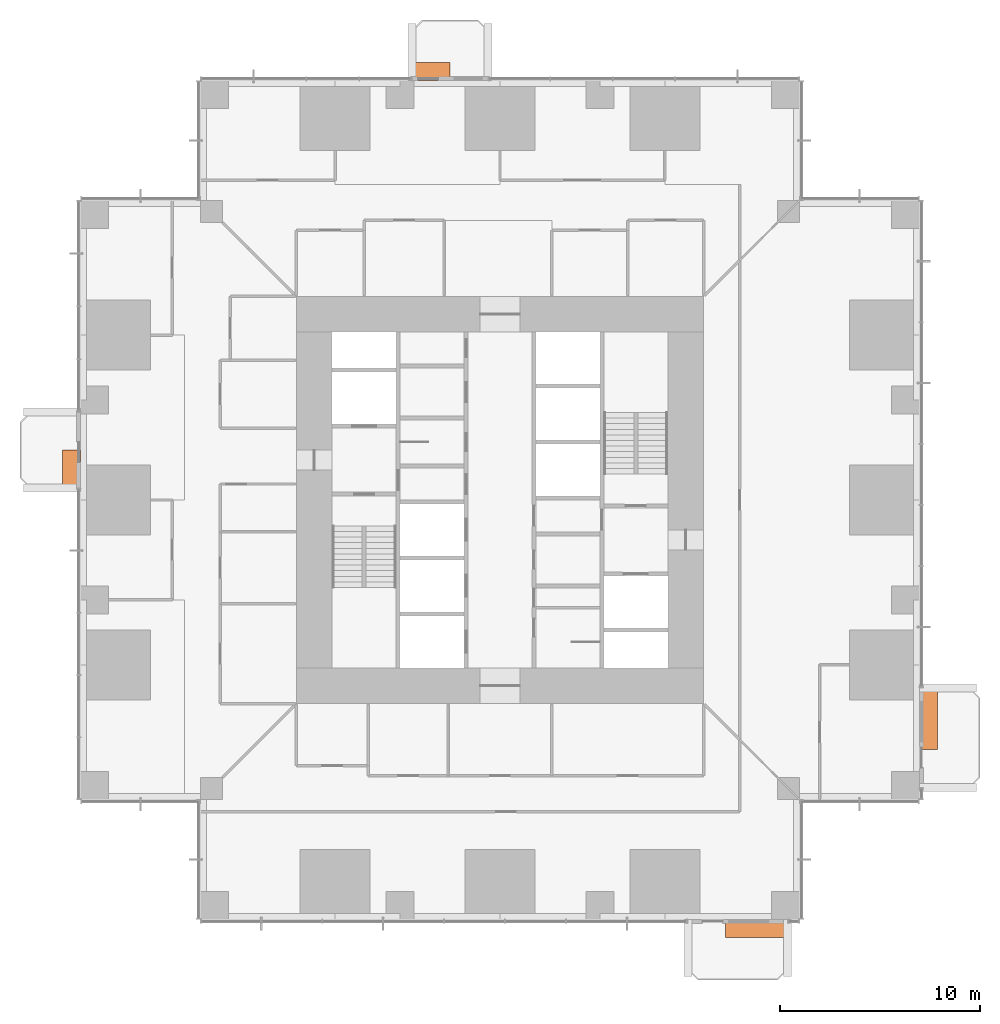
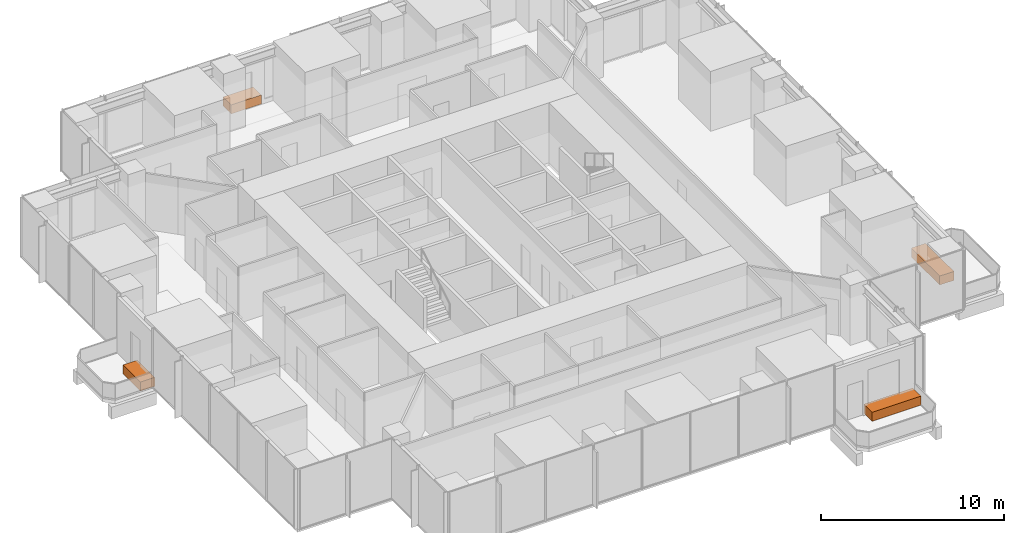
# One storey, part 15 of 15: 4 proxies.
"""IFC4 building model written with IfcOpenShell, lengths in metres."""

from ifc_helpers import new_model, si_unit, direction, frame, origin, origin_2d, place, context, subcontext, project, spatial, rectangle, extrude, element, save


model = new_model("IFC4")

# Units and contexts
model_context = context("Model", 3, precision=1e-05, world=origin(), true_north=direction((0.0, 1.0)))
body_context = subcontext(model_context, "Body", "Model", "MODEL_VIEW")
ifc_project = project(units=[si_unit("LENGTHUNIT", "METRE"), si_unit("AREAUNIT", "SQUARE_METRE"), si_unit("VOLUMEUNIT", "CUBIC_METRE"), si_unit("PLANEANGLEUNIT", "RADIAN"), si_unit("MASSUNIT", "GRAM", prefix="KILO")], contexts=[model_context])

# Site, building, storey
site_placement = place(None, origin())
site = spatial("IfcSite", under=ifc_project, at=site_placement, CompositionType="ELEMENT")
building_placement = place(site_placement, origin())
building = spatial("IfcBuilding", under=site, at=building_placement, Name="Svetlomir Tower", CompositionType="ELEMENT")
storey_placement = place(building_placement, frame((0.0, 0.0, 34.5)))
storey = spatial("IfcBuildingStorey", under=building, at=storey_placement, Name="L07", CompositionType="ELEMENT", Elevation=34.5)

# Proxies
proxy_1_placement = place(storey_placement, frame((33.85009765625, -0.449951171875, 0.0400390625), z_axis=(0.0, 0.0, 1.0), x_axis=(1.0, 0.0, 0.0)))
element("IfcBuildingElementProxy", 1, at=proxy_1_placement, inside=storey, Name="Tree planter S L07", ObjectType="PLANTER", PredefinedType="USERDEFINED", context=body_context, shape_type="SweptSolid", body=[
    extrude(rectangle(XDim=3.10009765625, YDim=0.89990234375, at=origin_2d()), origin(), (0.0, 0.0, 1.0), 0.60009765625),
])
proxy_2_placement = place(storey_placement, frame((42.449951171875, 10.050048828125, 0.0400390625), z_axis=(0.0, 0.0, 1.0), x_axis=(1.0, 0.0, 0.0)))
element("IfcBuildingElementProxy", 2, at=proxy_2_placement, inside=storey, Name="Tree planter E L07", ObjectType="PLANTER", PredefinedType="USERDEFINED", context=body_context, shape_type="SweptSolid", body=[
    extrude(rectangle(XDim=0.89990234375, YDim=3.10009765625, at=origin_2d()), origin(), (0.0, 0.0, 1.0), 0.60009765625),
])
proxy_3_placement = place(storey_placement, frame((17.550048828125, 42.449951171875, 0.0400390625), z_axis=(0.0, 0.0, 1.0), x_axis=(1.0, 0.0, 0.0)))
element("IfcBuildingElementProxy", 3, at=proxy_3_placement, inside=storey, Name="Tree planter N L07", ObjectType="PLANTER", PredefinedType="USERDEFINED", context=body_context, shape_type="SweptSolid", body=[
    extrude(rectangle(XDim=1.89990234375, YDim=0.89990234375, at=origin_2d()), origin(), (0.0, 0.0, 1.0), 0.60009765625),
])
proxy_4_placement = place(storey_placement, frame((-0.449951171875, 22.550048828125, 0.0400390625), z_axis=(0.0, 0.0, 1.0), x_axis=(1.0, 0.0, 0.0)))
element("IfcBuildingElementProxy", 4, at=proxy_4_placement, inside=storey, Name="Tree planter W L07", ObjectType="PLANTER", PredefinedType="USERDEFINED", context=body_context, shape_type="SweptSolid", body=[
    extrude(rectangle(XDim=0.89990234375, YDim=1.89990234375, at=origin_2d()), origin(), (0.0, 0.0, 1.0), 0.60009765625),
])

save(model, "model.ifc")
